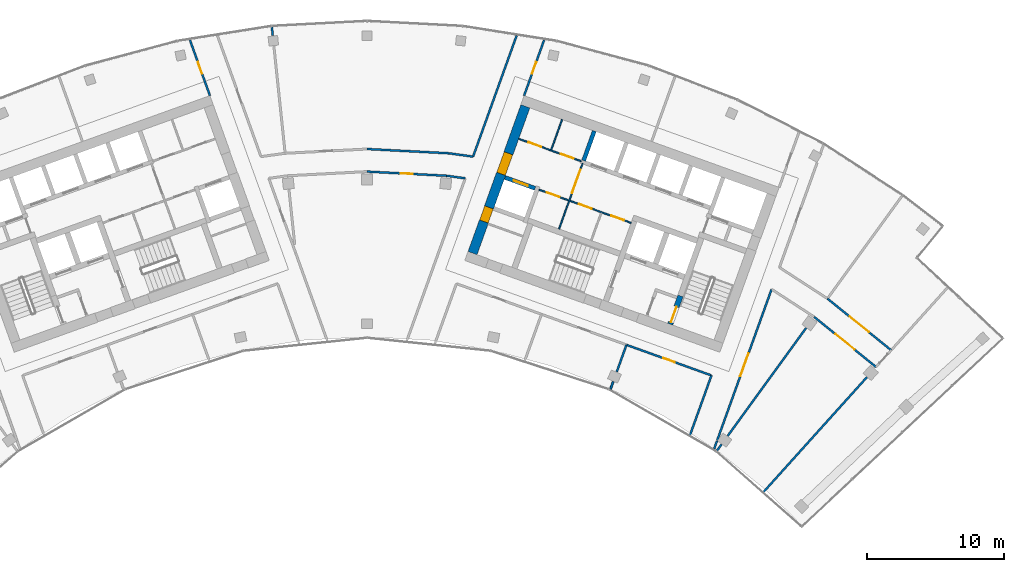
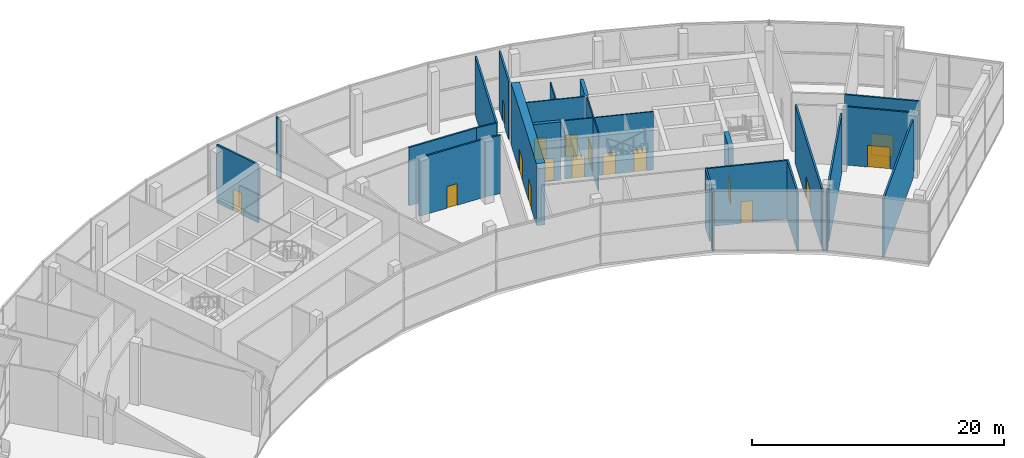
# One storey, part 14 of 18: 27 walls, 17 doors, 17 openings.
"""IFC4 building model written with IfcOpenShell, lengths in metres."""

import ifcopenshell
import ifcopenshell.guid

model = None  # the IFC model being written
_history = None  # IfcOwnerHistory: only IFC2X3 demands one
_inside = {}  # id of a spatial element -> (the spatial element, [elements in it])
_under = {}  # id of a project, library or spatial element -> (it, [spatial elements below it])
_declared = {}  # id of a project -> (the project, [libraries it declares])
_typed = {}  # id of a type object -> (the type object, [elements of that type])
_made_of = {}  # id of a material, layer set ... -> (it, [elements and type objects made of it])


def new_model(schema):
    """Start an empty IFC model of exactly this schema.

    Asked for "IFC4X3", IfcOpenShell would pick the latest addendum, in which some entities
    have other attributes; the version numbers below select the first issue.
    IFC2X3 requires an IfcOwnerHistory on every rooted entity: one is made here for all.
    """
    global model, _history
    if schema == "IFC4X3":
        model = ifcopenshell.file(schema_version=(4, 3, 0, 0))
    else:
        model = ifcopenshell.file(schema=schema)
    _inside.clear()
    _under.clear()
    _declared.clear()
    _typed.clear()
    _made_of.clear()
    _history = None
    if model.schema == "IFC2X3":
        org = make("IfcOrganization", Name="unknown")
        user = make(
            "IfcPersonAndOrganization",
            ThePerson=make("IfcPerson", FamilyName="unknown"),
            TheOrganization=org,
        )
        app = make(
            "IfcApplication",
            ApplicationDeveloper=org,
            Version="unknown",
            ApplicationFullName="unknown",
            ApplicationIdentifier="unknown",
        )
        _history = make(
            "IfcOwnerHistory",
            OwningUser=user,
            OwningApplication=app,
            ChangeAction="ADDED",
            CreationDate=0,
        )
    return model


def make(cls, **values):
    """One entity of the class cls with the attributes given. An attribute that is None is left unset."""
    return model.create_entity(
        cls, **{name: value for name, value in values.items() if value is not None}
    )


def rooted(cls, **values):
    """An entity with a GlobalId (a new one), such as an element, a storey or a relation."""
    return make(cls, GlobalId=ifcopenshell.guid.new(), OwnerHistory=_history, **values)


def si_unit(unit_type, name, prefix=None):
    """IfcSIUnit, for example si_unit("LENGTHUNIT", "METRE", prefix="MILLI")."""
    return make("IfcSIUnit", UnitType=unit_type, Prefix=prefix, Name=name)


def assignment(units):
    """IfcUnitAssignment: the units of a project."""
    return None if units is None else make("IfcUnitAssignment", Units=units)


def point(xyz):
    """IfcCartesianPoint."""
    return None if xyz is None else make("IfcCartesianPoint", Coordinates=xyz)


def direction(xyz):
    """IfcDirection."""
    return None if xyz is None else make("IfcDirection", DirectionRatios=xyz)


def frame(location, z_axis=None, x_axis=None):
    """IfcAxis2Placement3D, a coordinate frame: its origin and axes. An axis left out is left unset."""
    return make(
        "IfcAxis2Placement3D",
        Location=point(location),
        Axis=direction(z_axis),
        RefDirection=direction(x_axis),
    )


def frame_2d(location, x_axis=None):
    """IfcAxis2Placement2D, a coordinate frame in the plane: its origin and x axis."""
    return make(
        "IfcAxis2Placement2D", Location=point(location), RefDirection=direction(x_axis)
    )


def origin():
    """The frame at (0, 0, 0) with its axes left unset."""
    return frame((0.0, 0.0, 0.0))


def place(relative_to, where):
    """IfcLocalPlacement: puts the frame where relative to a parent placement (None: the world)."""
    return make(
        "IfcLocalPlacement", PlacementRelTo=relative_to, RelativePlacement=where
    )


def context(
    kind, dimensions, precision=None, world=None, true_north=None, identifier=None
):
    """IfcGeometricRepresentationContext, for example the 3D "Model" context."""
    return make(
        "IfcGeometricRepresentationContext",
        ContextIdentifier=identifier,
        ContextType=kind,
        CoordinateSpaceDimension=dimensions,
        Precision=precision,
        WorldCoordinateSystem=world,
        TrueNorth=true_north,
    )


def subcontext(parent, identifier, kind, view, scale=None):
    """IfcGeometricRepresentationSubContext, for example "Body" below "Model"."""
    return make(
        "IfcGeometricRepresentationSubContext",
        ContextIdentifier=identifier,
        ContextType=kind,
        ParentContext=parent,
        TargetScale=scale,
        TargetView=view,
    )


def project(units=None, contexts=None):
    """IfcProject with its units and contexts."""
    return rooted(
        "IfcProject",
        Name="project",
        RepresentationContexts=contexts,
        UnitsInContext=assignment(units),
    )


def spatial(cls, under=None, at=None, **own):
    """A site, building, storey or space (cls), placed at a placement, below another one or the project."""
    s = rooted(cls, ObjectPlacement=at, **own)
    if under is not None:
        _under.setdefault(under.id(), (under, []))[1].append(s)
    return s


def profile(cls, at=None, kind="AREA", **sizes):
    """A parametric profile (cls). Its sizes go by their IFC names, for example OverallWidth=200.0."""
    return make(cls, ProfileType=kind, Position=at, **sizes)


def rectangle(**sizes):
    """IfcRectangleProfileDef."""
    return profile("IfcRectangleProfileDef", **sizes)


def extrude(swept, where, along, depth):
    """IfcExtrudedAreaSolid: the profile swept, set in the frame where, extruded along a direction by depth."""
    return make(
        "IfcExtrudedAreaSolid",
        SweptArea=swept,
        Position=where,
        ExtrudedDirection=direction(along),
        Depth=depth,
    )


def shape(context_of_items, identifier, shape_type, items):
    """IfcShapeRepresentation: the items that make up one representation, for example the "Body"."""
    return make(
        "IfcShapeRepresentation",
        ContextOfItems=context_of_items,
        RepresentationIdentifier=identifier,
        RepresentationType=shape_type,
        Items=items,
    )


def material(Name=None, Category=None):
    """IfcMaterial."""
    return make("IfcMaterial", Name=Name, Category=Category)


def layer(
    of_material, thickness, ventilated=None, Name=None, Category=None, Priority=None
):
    """IfcMaterialLayer: one layer of a wall or slab, of a material (None: an air gap)."""
    return make(
        "IfcMaterialLayer",
        Material=of_material,
        LayerThickness=thickness,
        IsVentilated=ventilated,
        Name=Name,
        Category=Category,
        Priority=Priority,
    )


def layer_set(layers, Name=None):
    """IfcMaterialLayerSet."""
    return make("IfcMaterialLayerSet", MaterialLayers=layers, LayerSetName=Name)


def made_of(thing, what):
    """Note that an element or type object is made of a material, layer set ...; save() writes the relation."""
    if what is not None:
        _made_of.setdefault(what.id(), (what, []))[1].append(thing)
    return thing


def type_object(cls, material=None, **own):
    """A type object (cls), such as IfcWallType, which elements share."""
    return made_of(rooted(cls, **own), material)


def element(
    cls,
    number,
    at=None,
    inside=None,
    cuts=None,
    type_object=None,
    material=None,
    context=None,
    identifier="Body",
    shape_type=None,
    held_by="IfcProductDefinitionShape",
    body=None,
    shapes=None,
    **own,
):
    """One element of the class cls, such as IfcWall. Its Tag is "e" and its number.

    at: its placement. inside: the storey or other place that contains it. cuts: it is an
    opening in that element (IfcRelVoidsElement). A single representation is given by context,
    identifier, shape_type and body (its items); several are given by shapes. held_by: the class
    of the entity that holds the representations. save() writes the other relations.
    """
    e = rooted(cls, Tag="e%d" % number, ObjectPlacement=at, **own)
    if body is not None:
        shapes = [shape(context, identifier, shape_type, body)]
    if shapes is not None:
        e.Representation = make(held_by, Representations=shapes)
    if inside is not None:
        _inside.setdefault(inside.id(), (inside, []))[1].append(e)
    if cuts is not None:
        rooted(
            "IfcRelVoidsElement", RelatingBuildingElement=cuts, RelatedOpeningElement=e
        )
    if type_object is not None:
        _typed.setdefault(type_object.id(), (type_object, []))[1].append(e)
    return made_of(e, material)


def fill(opening, filler):
    """IfcRelFillsElement: the door or window that sits in an opening."""
    return rooted(
        "IfcRelFillsElement",
        RelatingOpeningElement=opening,
        RelatedBuildingElement=filler,
    )


def aggregate(whole, parts):
    """IfcRelAggregates: a whole, such as a stair, and the parts it consists of."""
    return rooted("IfcRelAggregates", RelatingObject=whole, RelatedObjects=parts)


def save(model, path):
    """Write the relations noted so far, then the file.

    IfcRelAggregates (storeys below a building ...), IfcRelContainedInSpatialStructure (elements
    in a storey), IfcRelDefinesByType, IfcRelAssociatesMaterial and IfcRelDeclares: one each for
    every whole, place, type object, material and project.
    """
    for whole, parts in _under.values():
        aggregate(whole, parts)
    for where, things in _inside.values():
        rooted(
            "IfcRelContainedInSpatialStructure",
            RelatedElements=things,
            RelatingStructure=where,
        )
    for kind, things in _typed.values():
        rooted("IfcRelDefinesByType", RelatedObjects=things, RelatingType=kind)
    for what, things in _made_of.values():
        rooted("IfcRelAssociatesMaterial", RelatedObjects=things, RelatingMaterial=what)
    for by, libraries in _declared.values():
        rooted("IfcRelDeclares", RelatingContext=by, RelatedDefinitions=libraries)
    model.write(path)


model = new_model("IFC4")

# Units and contexts
model_context = context("Model", 3, precision=1e-05, world=origin(), true_north=direction((0.0, 1.0)))
body_context = subcontext(model_context, "Body", "Model", "MODEL_VIEW")
ifc_project = project(units=[si_unit("LENGTHUNIT", "METRE"), si_unit("AREAUNIT", "SQUARE_METRE"), si_unit("VOLUMEUNIT", "CUBIC_METRE"), si_unit("PLANEANGLEUNIT", "RADIAN"), si_unit("MASSUNIT", "GRAM", prefix="KILO")], contexts=[model_context])

# Site, building, storey
site_placement = place(None, origin())
site = spatial("IfcSite", under=ifc_project, at=site_placement, CompositionType="ELEMENT")
building_placement = place(site_placement, origin())
building = spatial("IfcBuilding", under=site, at=building_placement, Name="Stone Belt Terrace Tower", CompositionType="ELEMENT")
storey_placement = place(building_placement, frame((0.0, 0.0, 307.39990234375)))
storey = spatial("IfcBuildingStorey", under=building, at=storey_placement, Name="L75", CompositionType="ELEMENT", Elevation=307.39990234375)

# Wall, openings, doors
ifc_material_1 = material(Name="Plasterboard partition")
ifc_layer_1 = layer(ifc_material_1, 0.10009765625)
ifc_layer_set_1 = layer_set([ifc_layer_1], Name="Core partition 100")
wall_type_1 = type_object("IfcWallType", Name="Core partition 100", PredefinedType="PARTITIONING", material=ifc_layer_set_1)
wall_1_placement = place(storey_placement, frame((19.29052734375, 51.829833984375, 0.0), z_axis=(0.0, 0.0, 1.0), x_axis=(-0.94092179465, 0.338623945331, 0.0)))
wall_1 = element("IfcWall", 1, at=wall_1_placement, inside=storey, type_object=wall_type_1, Name="Core B wall", PredefinedType="PARTITIONING", context=body_context, shape_type="SweptSolid", body=[
    extrude(rectangle(XDim=7.14990234375, YDim=0.10009765625, at=frame_2d((3.574951171875, 0.0))), origin(), (0.0, 0.0, 1.0), 5.650146484375),
])
opening_1_placement = place(wall_1_placement, frame((0.550048828125, 0.0, 0.0)))
opening_1 = element("IfcOpeningElement", 2, at=opening_1_placement, cuts=wall_1, Name="Opening L75-C19", PredefinedType="OPENING", context=body_context, shape_type="SweptSolid", body=[
    extrude(rectangle(XDim=1.0, YDim=2.10009765625, at=frame_2d((0.5, 1.050048828125))), frame((0.0, 0.06005859375, 0.0), z_axis=(0.0, -1.0, 0.0), x_axis=(1.0, 0.0, 0.0)), (0.0, 0.0, 1.0), 0.1201171875),
])
opening_2_placement = place(wall_1_placement, frame((3.050048828125, 0.0, 0.0)))
opening_2 = element("IfcOpeningElement", 3, at=opening_2_placement, cuts=wall_1, Name="Opening L75-C20", PredefinedType="OPENING", context=body_context, shape_type="SweptSolid", body=[
    extrude(rectangle(XDim=1.0, YDim=2.10009765625, at=frame_2d((0.5, 1.050048828125))), frame((0.0, 0.06005859375, 0.0), z_axis=(0.0, -1.0, 0.0), x_axis=(1.0, 0.0, 0.0)), (0.0, 0.0, 1.0), 0.1201171875),
])
opening_3_placement = place(wall_1_placement, frame((5.550048828125, 0.0, 0.0)))
opening_3 = element("IfcOpeningElement", 4, at=opening_3_placement, cuts=wall_1, Name="Opening L75-C21", PredefinedType="OPENING", context=body_context, shape_type="SweptSolid", body=[
    extrude(rectangle(XDim=1.0, YDim=2.10009765625, at=frame_2d((0.5, 1.050048828125))), frame((0.0, 0.06005859375, 0.0), z_axis=(0.0, -1.0, 0.0), x_axis=(1.0, 0.0, 0.0)), (0.0, 0.0, 1.0), 0.1201171875),
])
ifc_material_2 = material(Name="Timber door leaf", Category="wood")
door_type_1 = type_object("IfcDoorType", Name="Core room door 1000", OperationType="SINGLE_SWING_LEFT", PredefinedType="DOOR", material=ifc_material_2)
door_1_placement = place(opening_1_placement, origin())
door_1 = element("IfcDoor", 5, at=door_1_placement, inside=storey, type_object=door_type_1, Name="Door to Ventilation plant room core B", OperationType="SINGLE_SWING_RIGHT", OverallHeight=2.10009765625, OverallWidth=1.0, PredefinedType="DOOR", context=body_context, shape_type="SweptSolid", body=[
    extrude(rectangle(XDim=1.0, YDim=2.10009765625, at=frame_2d((0.5, 1.050048828125))), frame((0.0, 0.02490234375, 0.0), z_axis=(0.0, -1.0, 0.0), x_axis=(1.0, 0.0, 0.0)), (0.0, 0.0, 1.0), 0.050048828125),
])
fill(opening_1, door_1)
door_2_placement = place(opening_2_placement, origin())
door_2 = element("IfcDoor", 6, at=door_2_placement, inside=storey, type_object=door_type_1, Name="Door to Services store core B", OperationType="SINGLE_SWING_LEFT", OverallHeight=2.10009765625, OverallWidth=1.0, PredefinedType="DOOR", context=body_context, shape_type="SweptSolid", body=[
    extrude(rectangle(XDim=1.0, YDim=2.10009765625, at=frame_2d((0.5, 1.050048828125))), frame((0.0, 0.02490234375, 0.0), z_axis=(0.0, -1.0, 0.0), x_axis=(1.0, 0.0, 0.0)), (0.0, 0.0, 1.0), 0.050048828125),
])
fill(opening_2, door_2)
door_3_placement = place(opening_3_placement, origin())
door_3 = element("IfcDoor", 7, at=door_3_placement, inside=storey, type_object=door_type_1, Name="Door to Server room core B", OperationType="SINGLE_SWING_RIGHT", OverallHeight=2.10009765625, OverallWidth=1.0, PredefinedType="DOOR", context=body_context, shape_type="SweptSolid", body=[
    extrude(rectangle(XDim=1.0, YDim=2.10009765625, at=frame_2d((0.5, 1.050048828125))), frame((0.0, 0.02490234375, 0.0), z_axis=(0.0, -1.0, 0.0), x_axis=(1.0, 0.0, 0.0)), (0.0, 0.0, 1.0), 0.050048828125),
])
fill(opening_3, door_3)

# Wall, opening, door
wall_2_placement = place(storey_placement, frame((14.029052734375, 51.38525390625, 0.0), z_axis=(0.0, 0.0, 1.0), x_axis=(0.338643184627, 0.940914870488, 0.0)))
wall_2 = element("IfcWall", 8, at=wall_2_placement, inside=storey, type_object=wall_type_1, Name="Core B wall", PredefinedType="PARTITIONING", context=body_context, shape_type="SweptSolid", body=[
    extrude(rectangle(XDim=5.099853515625, YDim=0.10009765625, at=frame_2d((2.5498046875, 0.0))), origin(), (0.0, 0.0, 1.0), 5.650146484375),
])
opening_4_placement = place(wall_2_placement, frame((2.800048828125, 0.0, 0.0)))
opening_4 = element("IfcOpeningElement", 9, at=opening_4_placement, cuts=wall_2, Name="Opening L75-C24", PredefinedType="OPENING", context=body_context, shape_type="SweptSolid", body=[
    extrude(rectangle(XDim=1.800048828125, YDim=2.10009765625, at=frame_2d((0.89990234375, 1.050048828125))), frame((0.0, 0.06005859375, 0.0), z_axis=(0.0, -1.0, 0.0), x_axis=(1.0, 0.0, 0.0)), (0.0, 0.0, 1.0), 0.1201171875),
])
ifc_material_3 = material(Name="Glazed aluminium door leaf", Category="aluminium")
door_type_2 = type_object("IfcDoorType", Name="Lift lobby entrance door 1800", OperationType="DOUBLE_DOOR_SINGLE_SWING", PredefinedType="DOOR", material=ifc_material_3)
door_4_placement = place(opening_4_placement, origin())
door_4 = element("IfcDoor", 10, at=door_4_placement, inside=storey, type_object=door_type_2, Name="Lift lobby double door core B", OperationType="DOUBLE_DOOR_SINGLE_SWING", OverallHeight=2.10009765625, OverallWidth=1.800048828125, PredefinedType="DOOR", context=body_context, shape_type="SweptSolid", body=[
    extrude(rectangle(XDim=1.800048828125, YDim=2.10009765625, at=frame_2d((0.89990234375, 1.050048828125))), frame((0.0, 0.02490234375, 0.0), z_axis=(0.0, -1.0, 0.0), x_axis=(1.0, 0.0, 0.0)), (0.0, 0.0, 1.0), 0.050048828125),
])
fill(opening_4, door_4)

# Wall, openings, doors
wall_3_placement = place(storey_placement, frame((15.648681640625, 56.32861328125, 0.0), z_axis=(0.0, 0.0, 1.0), x_axis=(-0.940905377977, 0.338669558262, 0.0)))
wall_3 = element("IfcWall", 11, at=wall_3_placement, inside=storey, type_object=wall_type_1, Name="Core B wall", PredefinedType="PARTITIONING", context=body_context, shape_type="SweptSolid", body=[
    extrude(rectangle(XDim=4.85009765625, YDim=0.10009765625, at=frame_2d((2.425048828125, 0.0))), origin(), (0.0, 0.0, 1.0), 5.650146484375),
])
opening_5_placement = place(wall_3_placement, frame((0.60009765625, 0.0, 0.0)))
opening_5 = element("IfcOpeningElement", 12, at=opening_5_placement, cuts=wall_3, Name="Opening L75-C17", PredefinedType="OPENING", context=body_context, shape_type="SweptSolid", body=[
    extrude(rectangle(XDim=1.0, YDim=2.10009765625, at=frame_2d((0.5, 1.050048828125))), frame((0.0, 0.06005859375, 0.0), z_axis=(0.0, -1.0, 0.0), x_axis=(1.0, 0.0, 0.0)), (0.0, 0.0, 1.0), 0.1201171875),
])
opening_6_placement = place(wall_3_placement, frame((3.10009765625, 0.0, 0.0)))
opening_6 = element("IfcOpeningElement", 13, at=opening_6_placement, cuts=wall_3, Name="Opening L75-C18", PredefinedType="OPENING", context=body_context, shape_type="SweptSolid", body=[
    extrude(rectangle(XDim=1.0, YDim=2.10009765625, at=frame_2d((0.5, 1.050048828125))), frame((0.0, 0.06005859375, 0.0), z_axis=(0.0, -1.0, 0.0), x_axis=(1.0, 0.0, 0.0)), (0.0, 0.0, 1.0), 0.1201171875),
])
door_5_placement = place(opening_5_placement, origin())
door_5 = element("IfcDoor", 14, at=door_5_placement, inside=storey, type_object=door_type_1, Name="Door to Plant room core B", OperationType="SINGLE_SWING_RIGHT", OverallHeight=2.10009765625, OverallWidth=1.0, PredefinedType="DOOR", context=body_context, shape_type="SweptSolid", body=[
    extrude(rectangle(XDim=1.0, YDim=2.10009765625, at=frame_2d((0.5, 1.050048828125))), frame((0.0, 0.02490234375, 0.0), z_axis=(0.0, -1.0, 0.0), x_axis=(1.0, 0.0, 0.0)), (0.0, 0.0, 1.0), 0.050048828125),
])
fill(opening_5, door_5)
door_6_placement = place(opening_6_placement, origin())
door_6 = element("IfcDoor", 15, at=door_6_placement, inside=storey, type_object=door_type_1, Name="Door to Electrical room core B", OperationType="SINGLE_SWING_LEFT", OverallHeight=2.10009765625, OverallWidth=1.0, PredefinedType="DOOR", context=body_context, shape_type="SweptSolid", body=[
    extrude(rectangle(XDim=1.0, YDim=2.10009765625, at=frame_2d((0.5, 1.050048828125))), frame((0.0, 0.02490234375, 0.0), z_axis=(0.0, -1.0, 0.0), x_axis=(1.0, 0.0, 0.0)), (0.0, 0.0, 1.0), 0.050048828125),
])
fill(opening_6, door_6)

# Wall
wall_4_placement = place(storey_placement, frame((13.45458984375, 57.171630859375, 0.0), z_axis=(0.0, 0.0, 1.0), x_axis=(0.338579668317, 0.940937728121, 0.0)))
element("IfcWall", 16, at=wall_4_placement, inside=storey, type_object=wall_type_1, Name="Core B wall", PredefinedType="PARTITIONING", context=body_context, shape_type="SweptSolid", body=[
    extrude(rectangle(XDim=2.35009765625, YDim=0.10009765625, at=frame_2d((1.175048828125, 0.0))), origin(), (0.0, 0.0, 1.0), 5.650146484375),
])

# Wall, openings, doors
ifc_material_4 = material(Name="Concrete B60", Category="concrete")
ifc_layer_2 = layer(ifc_material_4, 0.699951171875)
ifc_layer_set_2 = layer_set([ifc_layer_2], Name="Core wall 700 B60")
wall_type_2 = type_object("IfcWallType", Name="Core wall 700 B60", PredefinedType="SHEAR", material=ifc_layer_set_2)
wall_5_placement = place(storey_placement, frame((7.70849609375, 49.621337890625, 0.0), z_axis=(0.0, 0.0, 1.0), x_axis=(0.338606471282, 0.940928083121, 0.0)))
wall_5 = element("IfcWall", 17, at=wall_5_placement, inside=storey, type_object=wall_type_2, Name="Core B wall end_a L75", PredefinedType="SHEAR", context=body_context, shape_type="SweptSolid", body=[
    extrude(rectangle(XDim=11.39990234375, YDim=0.699951171875, at=frame_2d((5.699951171875, 0.0))), origin(), (0.0, 0.0, 1.0), 6.0),
])
opening_7_placement = place(wall_5_placement, frame((6.14990234375, 0.0, 0.0)))
opening_7 = element("IfcOpeningElement", 18, at=opening_7_placement, cuts=wall_5, Name="Opening L75-C25", PredefinedType="OPENING", context=body_context, shape_type="SweptSolid", body=[
    extrude(rectangle(XDim=1.60009765625, YDim=2.10009765625, at=frame_2d((0.800048828125, 1.050048828125))), frame((0.0, 0.35986328125, 0.0), z_axis=(0.0, -1.0, 0.0), x_axis=(1.0, 0.0, 0.0)), (0.0, 0.0, 1.0), 0.719970703125),
])
opening_8_placement = place(wall_5_placement, frame((2.449951171875, 0.0, 0.0)))
opening_8 = element("IfcOpeningElement", 19, at=opening_8_placement, cuts=wall_5, Name="Opening L75-C32", PredefinedType="OPENING", context=body_context, shape_type="SweptSolid", body=[
    extrude(rectangle(XDim=1.10009765625, YDim=2.10009765625, at=frame_2d((0.550048828125, 1.050048828125))), frame((0.0, 0.35986328125, 0.0), z_axis=(0.0, -1.0, 0.0), x_axis=(1.0, 0.0, 0.0)), (0.0, 0.0, 1.0), 0.719970703125),
])
door_type_3 = type_object("IfcDoorType", Name="Core room door 1100", OperationType="SINGLE_SWING_LEFT", PredefinedType="DOOR", material=ifc_material_2)
door_7_placement = place(opening_8_placement, origin())
door_7 = element("IfcDoor", 20, at=door_7_placement, inside=storey, type_object=door_type_3, Name="Door to Observation servery core B", OperationType="SINGLE_SWING_RIGHT", OverallHeight=2.10009765625, OverallWidth=1.10009765625, PredefinedType="DOOR", context=body_context, shape_type="SweptSolid", body=[
    extrude(rectangle(XDim=1.10009765625, YDim=2.10009765625, at=frame_2d((0.550048828125, 1.050048828125))), frame((0.0, 0.330078125, 0.0), z_axis=(0.0, -1.0, 0.0), x_axis=(1.0, 0.0, 0.0)), (0.0, 0.0, 1.0), 0.659912109375),
])
fill(opening_8, door_7)
door_type_4 = type_object("IfcDoorType", Name="Lift lobby entrance door 1600", OperationType="DOUBLE_DOOR_SINGLE_SWING", PredefinedType="DOOR", material=ifc_material_3)
door_8_placement = place(opening_7_placement, origin())
door_8 = element("IfcDoor", 21, at=door_8_placement, inside=storey, type_object=door_type_4, Name="Lift lobby entrance door core B", OperationType="DOUBLE_DOOR_SINGLE_SWING", OverallHeight=2.10009765625, OverallWidth=1.60009765625, PredefinedType="DOOR", context=body_context, shape_type="SweptSolid", body=[
    extrude(rectangle(XDim=1.60009765625, YDim=2.10009765625, at=frame_2d((0.800048828125, 1.050048828125))), frame((0.0, 0.330078125, 0.0), z_axis=(0.0, -1.0, 0.0), x_axis=(1.0, 0.0, 0.0)), (0.0, 0.0, 1.0), 0.659912109375),
])
fill(opening_7, door_8)

# Wall
ifc_material_5 = material(Name="Concrete B80", Category="concrete")
ifc_layer_3 = layer(ifc_material_5, 0.300048828125)
ifc_layer_set_3 = layer_set([ifc_layer_3], Name="Lift shaft wall 300")
wall_type_3 = type_object("IfcWallType", Name="Lift shaft wall 300", PredefinedType="SHEAR", material=ifc_layer_set_3)
wall_6_placement = place(storey_placement, frame((15.82373046875, 56.3720703125, 0.0), z_axis=(0.0, 0.0, 1.0), x_axis=(0.338621735342, 0.94092258999, 0.0)))
element("IfcWall", 22, at=wall_6_placement, inside=storey, type_object=wall_type_3, Name="Core B wall", PredefinedType="SHEAR", context=body_context, shape_type="SweptSolid", body=[
    extrude(rectangle(XDim=2.300048828125, YDim=0.300048828125, at=frame_2d((1.14990234375, 0.0))), origin(), (0.0, 0.0, 1.0), 5.650146484375),
])

# Wall, opening, door
wall_7_placement = place(storey_placement, frame((12.280517578125, 54.3525390625, 0.0), z_axis=(0.0, 0.0, 1.0), x_axis=(-0.940925816745, 0.338612769078, 0.0)))
wall_7 = element("IfcWall", 23, at=wall_7_placement, inside=storey, type_object=wall_type_3, Name="Core B wall", PredefinedType="SHEAR", context=body_context, shape_type="SweptSolid", body=[
    extrude(rectangle(XDim=2.349853515625, YDim=0.300048828125, at=frame_2d((1.1748046875, 0.0))), origin(), (0.0, 0.0, 1.0), 5.650146484375),
])
opening_9_placement = place(wall_7_placement, frame((0.570068359375, 0.0, 0.0)))
opening_9 = element("IfcOpeningElement", 24, at=opening_9_placement, cuts=wall_7, Name="Opening L75-LD15", PredefinedType="OPENING", context=body_context, shape_type="SweptSolid", body=[
    extrude(rectangle(XDim=1.10009765625, YDim=2.199951171875, at=frame_2d((0.550048828125, 1.10009765625))), frame((0.0, 0.159912109375, 0.0), z_axis=(0.0, -1.0, 0.0), x_axis=(1.0, 0.0, 0.0)), (0.0, 0.0, 1.0), 0.320068359375),
])
ifc_material_6 = material(Name="Stainless steel door leaf", Category="steel")
door_type_5 = type_object("IfcDoorType", Name="Landing door 1100", OperationType="SLIDING_TO_LEFT", PredefinedType="DOOR", material=ifc_material_6)
door_9_placement = place(opening_9_placement, origin())
door_9 = element("IfcDoor", 25, at=door_9_placement, inside=storey, type_object=door_type_5, Name="Landing door OB1 core B", OperationType="SLIDING_TO_LEFT", OverallHeight=2.199951171875, OverallWidth=1.10009765625, PredefinedType="DOOR", context=body_context, shape_type="SweptSolid", body=[
    extrude(rectangle(XDim=1.10009765625, YDim=2.199951171875, at=frame_2d((0.550048828125, 1.10009765625))), frame((0.0, 0.02490234375, 0.0), z_axis=(0.0, -1.0, 0.0), x_axis=(1.0, 0.0, 0.0)), (0.0, 0.0, 1.0), 0.050048828125),
])
fill(opening_9, door_9)

ifc_material_7 = material(Name="Gypsum board partition")
ifc_layer_4 = layer(ifc_material_7, 0.14990234375)
ifc_layer_set_4 = layer_set([ifc_layer_4], Name="PARTITION 150 EI 60")
wall_type_4 = type_object("IfcWallType", Name="PARTITION 150 EI 60", PredefinedType="PARTITIONING", material=ifc_layer_set_4)
wall_8_placement = place(storey_placement, frame((-11.47607421875, 61.125, 0.0), z_axis=(0.0, 0.0, 1.0), x_axis=(-0.338707450319, 0.940891738245, 0.0)))
wall_8 = element("IfcWall", 26, at=wall_8_placement, inside=storey, type_object=wall_type_4, Name="L75/wall/i010", PredefinedType="PARTITIONING", context=body_context, shape_type="SweptSolid", body=[
    extrude(rectangle(XDim=4.316162109375, YDim=0.14990234375, at=frame_2d((2.158203125, 0.0))), origin(), (0.0, 0.0, 1.0), 5.650146484375),
])
opening_10_placement = place(wall_8_placement, frame((1.7080078125, 0.0, 0.0)))
opening_10 = element("IfcOpeningElement", 27, at=opening_10_placement, cuts=wall_8, Name="Opening D-OBS-05", PredefinedType="OPENING", context=body_context, shape_type="SweptSolid", body=[
    extrude(rectangle(XDim=0.89990234375, YDim=2.10009765625, at=frame_2d((0.449951171875, 1.050048828125))), frame((0.0, 0.0849609375, 0.0), z_axis=(0.0, -1.0, 0.0), x_axis=(1.0, 0.0, 0.0)), (0.0, 0.0, 1.0), 0.169921875),
])
door_type_6 = type_object("IfcDoorType", Name="OFFICE DOOR 900 X 2100", OperationType="NOTDEFINED", PredefinedType="DOOR", material=ifc_material_2)
door_10_placement = place(opening_10_placement, origin())
door_10 = element("IfcDoor", 28, at=door_10_placement, inside=storey, type_object=door_type_6, Name="L75/door/i05", OperationType="SINGLE_SWING_RIGHT", OverallHeight=2.10009765625, OverallWidth=0.89990234375, PredefinedType="DOOR", context=body_context, shape_type="SweptSolid", body=[
    extrude(rectangle(XDim=0.89990234375, YDim=2.10009765625, at=frame_2d((0.449951171875, 1.050048828125))), frame((0.0, 0.02490234375, 0.0), z_axis=(0.0, -1.0, 0.0), x_axis=(1.0, 0.0, 0.0)), (0.0, 0.0, 1.0), 0.050048828125),
])
fill(opening_10, door_10)

wall_9_placement = place(storey_placement, frame((12.93798828125, 65.18603515625, 0.0), z_axis=(0.0, 0.0, 1.0), x_axis=(-0.338707450319, -0.940891738245, 0.0)))
wall_9 = element("IfcWall", 29, at=wall_9_placement, inside=storey, type_object=wall_type_4, Name="L75/wall/i022", PredefinedType="PARTITIONING", context=body_context, shape_type="SweptSolid", body=[
    extrude(rectangle(XDim=4.316162109375, YDim=0.14990234375, at=frame_2d((2.158203125, 0.0))), origin(), (0.0, 0.0, 1.0), 5.650146484375),
])
opening_11_placement = place(wall_9_placement, frame((1.7080078125, 0.0, 0.0)))
opening_11 = element("IfcOpeningElement", 30, at=opening_11_placement, cuts=wall_9, Name="Opening D-OBS-09", PredefinedType="OPENING", context=body_context, shape_type="SweptSolid", body=[
    extrude(rectangle(XDim=0.89990234375, YDim=2.10009765625, at=frame_2d((0.449951171875, 1.050048828125))), frame((0.0, 0.0849609375, 0.0), z_axis=(0.0, -1.0, 0.0), x_axis=(1.0, 0.0, 0.0)), (0.0, 0.0, 1.0), 0.169921875),
])
door_11_placement = place(opening_11_placement, origin())
door_11 = element("IfcDoor", 31, at=door_11_placement, inside=storey, type_object=door_type_6, Name="L75/door/i09", OperationType="SINGLE_SWING_RIGHT", OverallHeight=2.10009765625, OverallWidth=0.89990234375, PredefinedType="DOOR", context=body_context, shape_type="SweptSolid", body=[
    extrude(rectangle(XDim=0.89990234375, YDim=2.10009765625, at=frame_2d((0.449951171875, 1.050048828125))), frame((0.0, 0.02490234375, 0.0), z_axis=(0.0, -1.0, 0.0), x_axis=(1.0, 0.0, 0.0)), (0.0, 0.0, 1.0), 0.050048828125),
])
fill(opening_11, door_11)

# Walls
wall_10_placement = place(storey_placement, frame((7.7451171875, 56.6640625, 0.0), z_axis=(0.0, 0.0, 1.0), x_axis=(0.338644933311, 0.94091424112, 0.0)))
element("IfcWall", 32, at=wall_10_placement, inside=storey, type_object=wall_type_4, Name="L75/wall/i024", PredefinedType="PARTITIONING", context=body_context, shape_type="SweptSolid", body=[
    extrude(rectangle(XDim=9.395263671875, YDim=0.14990234375, at=frame_2d((4.69775390625, 0.0))), origin(), (0.0, 0.0, 1.0), 5.650146484375),
])
wall_11_placement = place(storey_placement, frame((23.5966796875, 36.330810546875, 0.0), z_axis=(0.0, 0.0, 1.0), x_axis=(0.338609342271, 0.94092704995, 0.0)))
element("IfcWall", 33, at=wall_11_placement, inside=storey, type_object=wall_type_4, Name="L75/wall/i025", PredefinedType="PARTITIONING", context=body_context, shape_type="SweptSolid", body=[
    extrude(rectangle(XDim=4.6318359375, YDim=0.14990234375, at=frame_2d((2.31591796875, 0.0))), origin(), (0.0, 0.0, 1.0), 5.650146484375),
])

# Wall, opening, door
wall_12_placement = place(storey_placement, frame((29.556884765625, 46.987060546875, 0.0), z_axis=(0.0, 0.0, 1.0), x_axis=(-0.338660555828, -0.940908618265, 0.0)))
wall_12 = element("IfcWall", 34, at=wall_12_placement, inside=storey, type_object=wall_type_4, Name="L75/wall/i027", PredefinedType="PARTITIONING", context=body_context, shape_type="SweptSolid", body=[
    extrude(rectangle(XDim=11.73974609375, YDim=0.14990234375, at=frame_2d((5.869873046875, 0.0))), origin(), (0.0, 0.0, 1.0), 5.650146484375),
])
opening_12_placement = place(wall_12_placement, frame((4.969970703125, 0.0, 0.0)))
opening_12 = element("IfcOpeningElement", 35, at=opening_12_placement, cuts=wall_12, Name="Opening D-OBS-19", PredefinedType="OPENING", context=body_context, shape_type="SweptSolid", body=[
    extrude(rectangle(XDim=1.800048828125, YDim=2.10009765625, at=frame_2d((0.89990234375, 1.050048828125))), frame((0.0, 0.0849609375, 0.0), z_axis=(0.0, -1.0, 0.0), x_axis=(1.0, 0.0, 0.0)), (0.0, 0.0, 1.0), 0.169921875),
])
door_type_7 = type_object("IfcDoorType", Name="DOUBLE DOOR 1800 X 2100", OperationType="DOUBLE_DOOR_SINGLE_SWING", PredefinedType="DOOR", material=ifc_material_2)
door_12_placement = place(opening_12_placement, origin())
door_12 = element("IfcDoor", 36, at=door_12_placement, inside=storey, type_object=door_type_7, Name="L75/door/i19", OperationType="DOUBLE_DOOR_SINGLE_SWING", OverallHeight=2.10009765625, OverallWidth=1.800048828125, PredefinedType="DOOR", context=body_context, shape_type="SweptSolid", body=[
    extrude(rectangle(XDim=1.800048828125, YDim=2.10009765625, at=frame_2d((0.89990234375, 1.050048828125))), frame((0.0, 0.02490234375, 0.0), z_axis=(0.0, -1.0, 0.0), x_axis=(1.0, 0.0, 0.0)), (0.0, 0.0, 1.0), 0.050048828125),
])
fill(opening_12, door_12)

# Wall
wall_13_placement = place(storey_placement, frame((25.566162109375, 35.899658203125, 0.0), z_axis=(0.0, 0.0, 1.0), x_axis=(-0.338633814852, -0.940918242696, 0.0)))
element("IfcWall", 37, at=wall_13_placement, inside=storey, type_object=wall_type_4, Name="L75/wall/i028", PredefinedType="PARTITIONING", context=body_context, shape_type="SweptSolid", body=[
    extrude(rectangle(XDim=0.605712890625, YDim=0.14990234375, at=frame_2d((0.302734375, 0.0))), origin(), (0.0, 0.0, 1.0), 5.650146484375),
])

# Wall, opening, door
wall_14_placement = place(storey_placement, frame((25.1630859375, 40.68310546875, 0.0), z_axis=(0.0, 0.0, 1.0), x_axis=(-0.940934042754, 0.338589910047, 0.0)))
wall_14 = element("IfcWall", 38, at=wall_14_placement, inside=storey, type_object=wall_type_4, Name="L75/wall/i033", PredefinedType="PARTITIONING", context=body_context, shape_type="SweptSolid", body=[
    extrude(rectangle(XDim=6.606201171875, YDim=0.14990234375, at=frame_2d((3.30322265625, 0.0))), origin(), (0.0, 0.0, 1.0), 5.650146484375),
])
opening_13_placement = place(wall_14_placement, frame((2.85302734375, 0.0, 0.0)))
opening_13 = element("IfcOpeningElement", 39, at=opening_13_placement, cuts=wall_14, Name="Opening D-OBS-08", PredefinedType="OPENING", context=body_context, shape_type="SweptSolid", body=[
    extrude(rectangle(XDim=0.89990234375, YDim=2.10009765625, at=frame_2d((0.449951171875, 1.050048828125))), frame((0.0, 0.0849609375, 0.0), z_axis=(0.0, -1.0, 0.0), x_axis=(1.0, 0.0, 0.0)), (0.0, 0.0, 1.0), 0.169921875),
])
door_13_placement = place(opening_13_placement, origin())
door_13 = element("IfcDoor", 40, at=door_13_placement, inside=storey, type_object=door_type_6, Name="L75/door/i08", OperationType="SINGLE_SWING_RIGHT", OverallHeight=2.10009765625, OverallWidth=0.89990234375, PredefinedType="DOOR", context=body_context, shape_type="SweptSolid", body=[
    extrude(rectangle(XDim=0.89990234375, YDim=2.10009765625, at=frame_2d((0.449951171875, 1.050048828125))), frame((0.0, 0.02490234375, 0.0), z_axis=(0.0, -1.0, 0.0), x_axis=(1.0, 0.0, 0.0)), (0.0, 0.0, 1.0), 0.050048828125),
])
fill(opening_13, door_13)

# Walls
wall_15_placement = place(storey_placement, frame((18.952880859375, 42.91796875, 0.0), z_axis=(0.0, 0.0, 1.0), x_axis=(-0.338665874932, -0.940906703747, 0.0)))
element("IfcWall", 41, at=wall_15_placement, inside=storey, type_object=wall_type_4, Name="L75/wall/i035", PredefinedType="PARTITIONING", context=body_context, shape_type="SweptSolid", body=[
    extrude(rectangle(XDim=2.09716796875, YDim=0.14990234375, at=frame_2d((1.048583984375, 0.0))), origin(), (0.0, 0.0, 1.0), 5.650146484375),
])
wall_16_placement = place(storey_placement, frame((17.984375, 40.22802734375, 0.0), z_axis=(0.0, 0.0, 1.0), x_axis=(-0.338719468273, -0.940887411869, 0.0)))
element("IfcWall", 42, at=wall_16_placement, inside=storey, type_object=wall_type_4, Name="L75/wall/i036", PredefinedType="PARTITIONING", context=body_context, shape_type="SweptSolid", body=[
    extrude(rectangle(XDim=0.57080078125, YDim=0.14990234375, at=frame_2d((0.285400390625, 0.0))), origin(), (0.0, 0.0, 1.0), 5.650146484375),
])
wall_17_placement = place(storey_placement, frame((28.97802734375, 32.182373046875, 0.0), z_axis=(0.0, 0.0, 1.0), x_axis=(0.669127577115, 0.74314755301, 0.0)))
element("IfcWall", 43, at=wall_17_placement, inside=storey, type_object=wall_type_4, Name="L75/wall/i058", PredefinedType="PARTITIONING", context=body_context, shape_type="SweptSolid", body=[
    extrude(rectangle(XDim=11.263671875, YDim=0.14990234375, at=frame_2d((5.6318359375, 0.0))), origin(), (0.0, 0.0, 1.0), 5.650146484375),
])

# Wall, opening, door
wall_18_placement = place(storey_placement, frame((37.18701171875, 41.300048828125, 0.0), z_axis=(0.0, 0.0, 1.0), x_axis=(-0.777157880909, 0.629305671467, 0.0)))
wall_18 = element("IfcWall", 44, at=wall_18_placement, inside=storey, type_object=wall_type_4, Name="L75/wall/i061", PredefinedType="PARTITIONING", context=body_context, shape_type="SweptSolid", body=[
    extrude(rectangle(XDim=5.8173828125, YDim=0.14990234375, at=frame_2d((2.90869140625, 0.0))), origin(), (0.0, 0.0, 1.0), 5.650146484375),
])
opening_14_placement = place(wall_18_placement, frame((2.0087890625, 0.0, 0.0)))
opening_14 = element("IfcOpeningElement", 45, at=opening_14_placement, cuts=wall_18, Name="Opening D-OBS-20", PredefinedType="OPENING", context=body_context, shape_type="SweptSolid", body=[
    extrude(rectangle(XDim=1.800048828125, YDim=2.10009765625, at=frame_2d((0.89990234375, 1.050048828125))), frame((0.0, 0.0849609375, 0.0), z_axis=(0.0, -1.0, 0.0), x_axis=(1.0, 0.0, 0.0)), (0.0, 0.0, 1.0), 0.169921875),
])
door_14_placement = place(opening_14_placement, origin())
door_14 = element("IfcDoor", 46, at=door_14_placement, inside=storey, type_object=door_type_7, Name="L75/door/i20", OperationType="DOUBLE_DOOR_SINGLE_SWING", OverallHeight=2.10009765625, OverallWidth=1.800048828125, PredefinedType="DOOR", context=body_context, shape_type="SweptSolid", body=[
    extrude(rectangle(XDim=1.800048828125, YDim=2.10009765625, at=frame_2d((0.89990234375, 1.050048828125))), frame((0.0, 0.02490234375, 0.0), z_axis=(0.0, -1.0, 0.0), x_axis=(1.0, 0.0, 0.0)), (0.0, 0.0, 1.0), 0.050048828125),
])
fill(opening_14, door_14)

wall_19_placement = place(storey_placement, frame((33.635986328125, 46.2958984375, 0.0), z_axis=(0.0, 0.0, 1.0), x_axis=(0.777109127033, -0.629365875054, 0.0)))
wall_19 = element("IfcWall", 47, at=wall_19_placement, inside=storey, type_object=wall_type_4, Name="L75/wall/i063", PredefinedType="PARTITIONING", context=body_context, shape_type="SweptSolid", body=[
    extrude(rectangle(XDim=5.990234375, YDim=0.14990234375, at=frame_2d((2.9951171875, 0.0))), origin(), (0.0, 0.0, 1.0), 5.650146484375),
])
opening_15_placement = place(wall_19_placement, frame((2.094970703125, 0.0, 0.0)))
opening_15 = element("IfcOpeningElement", 48, at=opening_15_placement, cuts=wall_19, Name="Opening D-OBS-22", PredefinedType="OPENING", context=body_context, shape_type="SweptSolid", body=[
    extrude(rectangle(XDim=1.800048828125, YDim=2.10009765625, at=frame_2d((0.89990234375, 1.050048828125))), frame((0.0, 0.0849609375, 0.0), z_axis=(0.0, -1.0, 0.0), x_axis=(1.0, 0.0, 0.0)), (0.0, 0.0, 1.0), 0.169921875),
])
door_15_placement = place(opening_15_placement, origin())
door_15 = element("IfcDoor", 49, at=door_15_placement, inside=storey, type_object=door_type_7, Name="L75/door/i22", OperationType="DOUBLE_DOOR_SINGLE_SWING", OverallHeight=2.10009765625, OverallWidth=1.800048828125, PredefinedType="DOOR", context=body_context, shape_type="SweptSolid", body=[
    extrude(rectangle(XDim=1.800048828125, YDim=2.10009765625, at=frame_2d((0.89990234375, 1.050048828125))), frame((0.0, 0.02490234375, 0.0), z_axis=(0.0, -1.0, 0.0), x_axis=(1.0, 0.0, 0.0)), (0.0, 0.0, 1.0), 0.050048828125),
])
fill(opening_15, door_15)

# Walls
wall_20_placement = place(storey_placement, frame((32.075439453125, 44.148193359375, 0.0), z_axis=(0.0, 0.0, 1.0), x_axis=(-0.587809662232, -0.808999258953, 0.0)))
element("IfcWall", 50, at=wall_20_placement, inside=storey, type_object=wall_type_4, Name="L75/wall/i064", PredefinedType="PARTITIONING", context=body_context, shape_type="SweptSolid", body=[
    extrude(rectangle(XDim=9.7451171875, YDim=0.14990234375, at=frame_2d((4.87255859375, 0.0))), origin(), (0.0, 0.0, 1.0), 5.650146484375),
])
wall_21_placement = place(storey_placement, frame((25.900634765625, 35.6494140625, 0.0), z_axis=(0.0, 0.0, 1.0), x_axis=(-0.588120346537, -0.808773428093, 0.0)))
element("IfcWall", 51, at=wall_21_placement, inside=storey, type_object=wall_type_4, Name="L75/wall/i065", PredefinedType="PARTITIONING", context=body_context, shape_type="SweptSolid", body=[
    extrude(rectangle(XDim=0.5654296875, YDim=0.14990234375, at=frame_2d((0.28271484375, 0.0))), origin(), (0.0, 0.0, 1.0), 5.650146484375),
])
wall_22_placement = place(storey_placement, frame((7.176025390625, 55.0830078125, 0.0), z_axis=(0.0, 0.0, 1.0), x_axis=(-0.990675556397, 0.136242217972, 0.0)))
element("IfcWall", 52, at=wall_22_placement, inside=storey, type_object=wall_type_4, Name="L75/wall/i068", PredefinedType="PARTITIONING", context=body_context, shape_type="SweptSolid", body=[
    extrude(rectangle(XDim=1.3798828125, YDim=0.14990234375, at=frame_2d((0.68994140625, 0.0))), origin(), (0.0, 0.0, 1.0), 5.650146484375),
])

# Wall, opening, door
wall_23_placement = place(storey_placement, frame((5.80908203125, 55.27099609375, 0.0), z_axis=(0.0, 0.0, 1.0), x_axis=(-0.998633897938, 0.052252635241, 0.0)))
wall_23 = element("IfcWall", 53, at=wall_23_placement, inside=storey, type_object=wall_type_4, Name="L75/wall/i069", PredefinedType="PARTITIONING", context=body_context, shape_type="SweptSolid", body=[
    extrude(rectangle(XDim=5.817138671875, YDim=0.14990234375, at=frame_2d((2.90869140625, 0.0))), origin(), (0.0, 0.0, 1.0), 5.650146484375),
])
opening_16_placement = place(wall_23_placement, frame((2.45849609375, 0.0, 0.0)))
opening_16 = element("IfcOpeningElement", 54, at=opening_16_placement, cuts=wall_23, Name="Opening D-OBS-24", PredefinedType="OPENING", context=body_context, shape_type="SweptSolid", body=[
    extrude(rectangle(XDim=0.89990234375, YDim=2.10009765625, at=frame_2d((0.449951171875, 1.050048828125))), frame((0.0, 0.0849609375, 0.0), z_axis=(0.0, -1.0, 0.0), x_axis=(1.0, 0.0, 0.0)), (0.0, 0.0, 1.0), 0.169921875),
])
door_16_placement = place(opening_16_placement, origin())
door_16 = element("IfcDoor", 55, at=door_16_placement, inside=storey, type_object=door_type_6, Name="L75/door/i24", OperationType="SINGLE_SWING_RIGHT", OverallHeight=2.10009765625, OverallWidth=0.89990234375, PredefinedType="DOOR", context=body_context, shape_type="SweptSolid", body=[
    extrude(rectangle(XDim=0.89990234375, YDim=2.10009765625, at=frame_2d((0.449951171875, 1.050048828125))), frame((0.0, 0.02490234375, 0.0), z_axis=(0.0, -1.0, 0.0), x_axis=(1.0, 0.0, 0.0)), (0.0, 0.0, 1.0), 0.050048828125),
])
fill(opening_16, door_16)

# Walls
wall_24_placement = place(storey_placement, frame((0.0, 57.22509765625, 0.0), z_axis=(0.0, 0.0, 1.0), x_axis=(0.998633994648, -0.052250786921, 0.0)))
element("IfcWall", 56, at=wall_24_placement, inside=storey, type_object=wall_type_4, Name="L75/wall/i073", PredefinedType="PARTITIONING", context=body_context, shape_type="SweptSolid", body=[
    extrude(rectangle(XDim=5.990234375, YDim=0.14990234375, at=frame_2d((2.9951171875, 0.0))), origin(), (0.0, 0.0, 1.0), 5.650146484375),
])
wall_25_placement = place(storey_placement, frame((5.98193359375, 56.912109375, 0.0), z_axis=(0.0, 0.0, 1.0), x_axis=(0.990718093798, -0.135932551735, 0.0)))
element("IfcWall", 57, at=wall_25_placement, inside=storey, type_object=wall_type_4, Name="L75/wall/i074", PredefinedType="PARTITIONING", context=body_context, shape_type="SweptSolid", body=[
    extrude(rectangle(XDim=1.78173828125, YDim=0.14990234375, at=frame_2d((0.890869140625, 0.0))), origin(), (0.0, 0.0, 1.0), 5.650146484375),
])
wall_26_placement = place(storey_placement, frame((-6.951416015625, 66.135498046875, 0.0), z_axis=(0.0, 0.0, 1.0), x_axis=(0.10448334315, -0.994526636649, 0.0)))
element("IfcWall", 58, at=wall_26_placement, inside=storey, type_object=wall_type_4, Name="L75/wall/i076", PredefinedType="PARTITIONING", context=body_context, shape_type="SweptSolid", body=[
    extrude(rectangle(XDim=0.630859375, YDim=0.14990234375, at=frame_2d((0.3154296875, 0.0))), origin(), (0.0, 0.0, 1.0), 5.650146484375),
])

# Wall, opening, door
ifc_layer_5 = layer(ifc_material_5, 0.39990234375)
ifc_layer_set_5 = layer_set([ifc_layer_5], Name="Stair enclosure wall 400")
wall_type_5 = type_object("IfcWallType", Name="Stair enclosure wall 400", PredefinedType="SHEAR", material=ifc_layer_set_5)
wall_27_placement = place(storey_placement, frame((22.151611328125, 44.42333984375, 0.0), z_axis=(0.0, 0.0, 1.0), x_axis=(0.338577997708, 0.940938329259, 0.0)))
wall_27 = element("IfcWall", 59, at=wall_27_placement, inside=storey, type_object=wall_type_5, Name="Core B wall", PredefinedType="SHEAR", context=body_context, shape_type="SweptSolid", body=[
    extrude(rectangle(XDim=2.199951171875, YDim=0.39990234375, at=frame_2d((1.10009765625, 0.0))), origin(), (0.0, 0.0, 1.0), 5.650146484375),
])
opening_17_placement = place(wall_27_placement, frame((0.14990234375, 0.0, 0.0)))
opening_17 = element("IfcOpeningElement", 60, at=opening_17_placement, cuts=wall_27, Name="Opening L75-C26", PredefinedType="OPENING", context=body_context, shape_type="SweptSolid", body=[
    extrude(rectangle(XDim=1.199951171875, YDim=2.10009765625, at=frame_2d((0.60009765625, 1.050048828125))), frame((0.0, 0.2099609375, 0.0), z_axis=(0.0, -1.0, 0.0), x_axis=(1.0, 0.0, 0.0)), (0.0, 0.0, 1.0), 0.419921875),
])
ifc_material_8 = material(Name="Steel door leaf", Category="steel")
door_type_8 = type_object("IfcDoorType", Name="Stair door 1200", OperationType="SINGLE_SWING_LEFT", PredefinedType="DOOR", material=ifc_material_8)
door_17_placement = place(opening_17_placement, origin())
door_17 = element("IfcDoor", 61, at=door_17_placement, inside=storey, type_object=door_type_8, Name="Stair 1 door core B", OperationType="SINGLE_SWING_RIGHT", OverallHeight=2.10009765625, OverallWidth=1.199951171875, PredefinedType="DOOR", context=body_context, shape_type="SweptSolid", body=[
    extrude(rectangle(XDim=1.199951171875, YDim=2.10009765625, at=frame_2d((0.60009765625, 1.050048828125))), frame((0.0, 0.02490234375, 0.0), z_axis=(0.0, -1.0, 0.0), x_axis=(1.0, 0.0, 0.0)), (0.0, 0.0, 1.0), 0.050048828125),
])
fill(opening_17, door_17)

save(model, "model.ifc")
